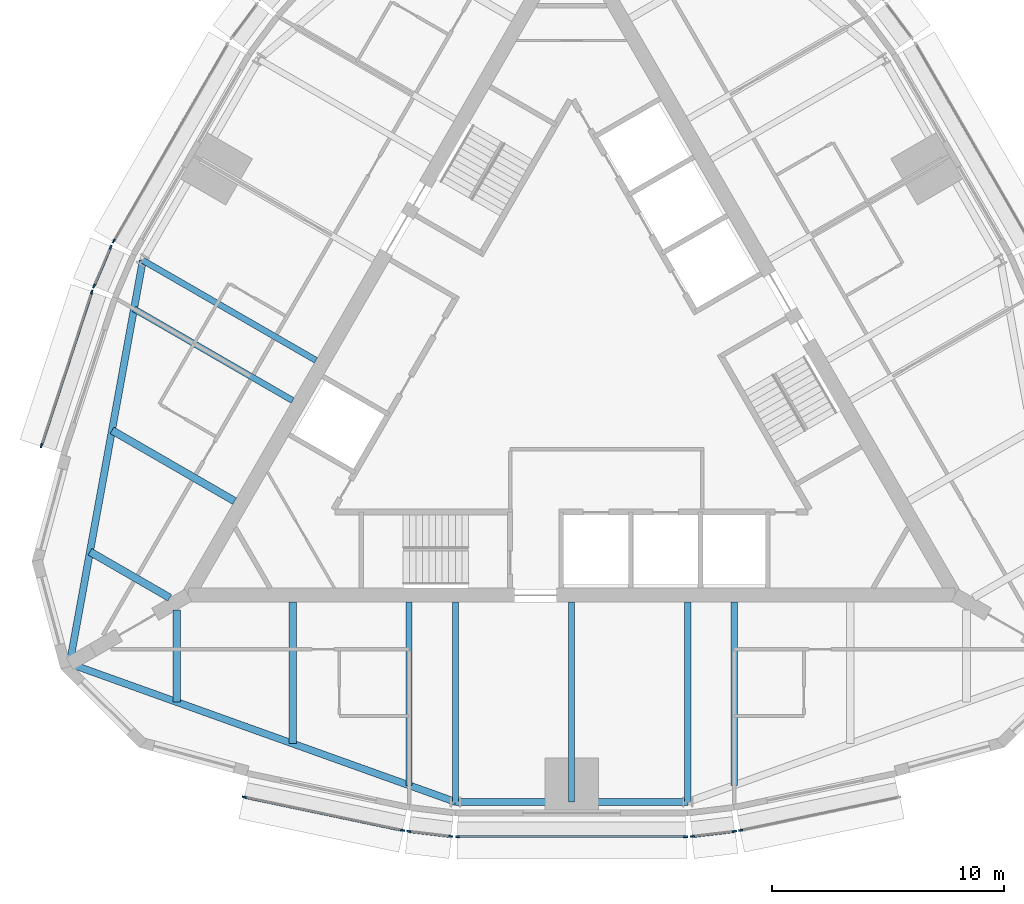
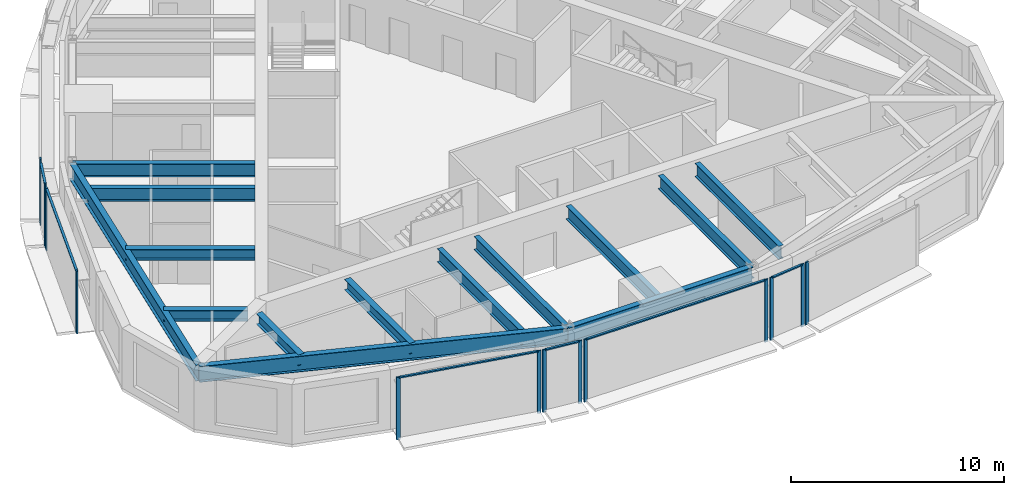
# One storey, part 2 of 12: 20 members, 14 beams, 8 elements without a shape of their own.
"""IFC4 building model written with IfcOpenShell, lengths in metres."""

from ifc_helpers import new_model, si_unit, direction, frame, origin, origin_2d, place, context, subcontext, project, spatial, rectangle, i_section, extrude, material, material_profile, profile_set, type_object, element, aggregate, save


model = new_model("IFC4")

# Units and contexts
model_context = context("Model", 3, precision=1e-05, world=origin(), true_north=direction((0.0, 1.0)))
body_context = subcontext(model_context, "Body", "Model", "MODEL_VIEW")
ifc_project = project(units=[si_unit("LENGTHUNIT", "METRE"), si_unit("AREAUNIT", "SQUARE_METRE"), si_unit("VOLUMEUNIT", "CUBIC_METRE"), si_unit("PLANEANGLEUNIT", "RADIAN"), si_unit("MASSUNIT", "GRAM", prefix="KILO")], contexts=[model_context])

# Site, building, storey
site_placement = place(None, origin())
site = spatial("IfcSite", under=ifc_project, at=site_placement, CompositionType="ELEMENT")
building_placement = place(site_placement, origin())
building = spatial("IfcBuilding", under=site, at=building_placement, Name="Trikona Tower", CompositionType="ELEMENT")
storey_placement = place(building_placement, frame((0.0, 0.0, 250.10009765625)))
storey = spatial("IfcBuildingStorey", under=building, at=storey_placement, Name="L66", CompositionType="ELEMENT", Elevation=250.10009765625)

# Curtain wall, members
ifc_material_1 = material(Name="Aluminium curtain wall system", Category="aluminium")
curtain_wall_type = type_object("IfcCurtainWallType", Name="Curtain wall DS3", PredefinedType="NOTDEFINED", material=ifc_material_1)
curtain_wall_1_placement = place(storey_placement, origin())
curtain_wall_1 = element("IfcCurtainWall", 1, at=curtain_wall_1_placement, inside=storey, type_object=curtain_wall_type, Name="Curtain wall DS3 L66", PredefinedType="NOTDEFINED")
ifc_material_2 = material(Name="Aluminium mullion, pale anodised", Category="aluminium")
ifc_material_profile_1 = material_profile(ifc_material_2, rectangle(XDim=0.070068359375, YDim=0.179931640625, at=origin_2d()), Name="MUL-DS3")
ifc_profile_set_1 = profile_set([ifc_material_profile_1], Name="Aluminium mullion, pale anodised")
member_type_1 = type_object("IfcMemberType", Name="Mullion DS3 70x180", PredefinedType="MULLION", material=ifc_profile_set_1)
member_1_placement = place(storey_placement, frame((-14.092041015625, -18.220703125, 0.0), z_axis=(0.0, 0.0, 1.0), x_axis=(0.205527448396, 0.978651351583, 0.0)))
member_1 = element("IfcMember", 2, at=member_1_placement, type_object=member_type_1, Name="CW-DS3 mullion 1", PredefinedType="MULLION", context=body_context, shape_type="SweptSolid", body=[
    extrude(rectangle(XDim=0.070068359375, YDim=0.179931640625, at=origin_2d()), origin(), (0.0, 0.0, 1.0), 3.599853515625),
])
member_2_placement = place(storey_placement, frame((-7.27783203125, -19.65185546875, 0.0), z_axis=(0.0, 0.0, 1.0), x_axis=(0.205527448396, 0.978651351583, 0.0)))
member_2 = element("IfcMember", 3, at=member_2_placement, type_object=member_type_1, Name="CW-DS3 mullion 2", PredefinedType="MULLION", context=body_context, shape_type="SweptSolid", body=[
    extrude(rectangle(XDim=0.070068359375, YDim=0.179931640625, at=origin_2d()), origin(), (0.0, 0.0, 1.0), 3.599853515625),
])

curtain_wall_2_placement = place(storey_placement, origin())
curtain_wall_2 = element("IfcCurtainWall", 4, at=curtain_wall_2_placement, inside=storey, type_object=curtain_wall_type, Name="Curtain wall DS3 L66", PredefinedType="NOTDEFINED")
member_3_placement = place(storey_placement, frame((-7.012939453125, -19.6953125, 0.0), z_axis=(0.0, 0.0, 1.0), x_axis=(0.119141057581, 0.992877338043, 0.0)))
member_3 = element("IfcMember", 5, at=member_3_placement, type_object=member_type_1, Name="CW-DS3 mullion 1", PredefinedType="MULLION", context=body_context, shape_type="SweptSolid", body=[
    extrude(rectangle(XDim=0.070068359375, YDim=0.179931640625, at=origin_2d()), origin(), (0.0, 0.0, 1.0), 3.599853515625),
])
member_4_placement = place(storey_placement, frame((-5.20166015625, -19.912841796875, 0.0), z_axis=(0.0, 0.0, 1.0), x_axis=(0.119141057581, 0.992877338043, 0.0)))
member_4 = element("IfcMember", 6, at=member_4_placement, type_object=member_type_1, Name="CW-DS3 mullion 2", PredefinedType="MULLION", context=body_context, shape_type="SweptSolid", body=[
    extrude(rectangle(XDim=0.070068359375, YDim=0.179931640625, at=origin_2d()), origin(), (0.0, 0.0, 1.0), 3.599853515625),
])

curtain_wall_3_placement = place(storey_placement, origin())
curtain_wall_3 = element("IfcCurtainWall", 7, at=curtain_wall_3_placement, inside=storey, type_object=curtain_wall_type, Name="Curtain wall DS3 L66", PredefinedType="NOTDEFINED")
member_5_placement = place(storey_placement, frame((-4.905029296875, -19.930419921875, 0.0), z_axis=(0.0, 0.0, 1.0), x_axis=(0.0, 1.0, 0.0)))
member_5 = element("IfcMember", 8, at=member_5_placement, type_object=member_type_1, Name="CW-DS3 mullion 1", PredefinedType="MULLION", context=body_context, shape_type="SweptSolid", body=[
    extrude(rectangle(XDim=0.070068359375, YDim=0.179931640625, at=origin_2d()), origin(), (0.0, 0.0, 1.0), 3.599853515625),
])
member_6_placement = place(storey_placement, frame((4.905029296875, -19.930419921875, 0.0), z_axis=(0.0, 0.0, 1.0), x_axis=(0.0, 1.0, 0.0)))
member_6 = element("IfcMember", 9, at=member_6_placement, type_object=member_type_1, Name="CW-DS3 mullion 2", PredefinedType="MULLION", context=body_context, shape_type="SweptSolid", body=[
    extrude(rectangle(XDim=0.070068359375, YDim=0.179931640625, at=origin_2d()), origin(), (0.0, 0.0, 1.0), 3.599853515625),
])

curtain_wall_4_placement = place(storey_placement, origin())
curtain_wall_4 = element("IfcCurtainWall", 10, at=curtain_wall_4_placement, inside=storey, type_object=curtain_wall_type, Name="Curtain wall DS3 L66", PredefinedType="NOTDEFINED")
member_7_placement = place(storey_placement, frame((5.20166015625, -19.912841796875, 0.0), z_axis=(0.0, 0.0, 1.0), x_axis=(-0.119141057581, 0.992877338043, 0.0)))
member_7 = element("IfcMember", 11, at=member_7_placement, type_object=member_type_1, Name="CW-DS3 mullion 1", PredefinedType="MULLION", context=body_context, shape_type="SweptSolid", body=[
    extrude(rectangle(XDim=0.070068359375, YDim=0.179931640625, at=origin_2d()), origin(), (0.0, 0.0, 1.0), 3.599853515625),
])
member_8_placement = place(storey_placement, frame((7.012939453125, -19.6953125, 0.0), z_axis=(0.0, 0.0, 1.0), x_axis=(-0.119141057581, 0.992877338043, 0.0)))
member_8 = element("IfcMember", 12, at=member_8_placement, type_object=member_type_1, Name="CW-DS3 mullion 2", PredefinedType="MULLION", context=body_context, shape_type="SweptSolid", body=[
    extrude(rectangle(XDim=0.070068359375, YDim=0.179931640625, at=origin_2d()), origin(), (0.0, 0.0, 1.0), 3.599853515625),
])

# Curtain wall, member
curtain_wall_5_placement = place(storey_placement, origin())
curtain_wall_5 = element("IfcCurtainWall", 13, at=curtain_wall_5_placement, inside=storey, type_object=curtain_wall_type, Name="Curtain wall DS3 L66", PredefinedType="NOTDEFINED")
member_9_placement = place(storey_placement, frame((7.27783203125, -19.65185546875, 0.0), z_axis=(0.0, 0.0, 1.0), x_axis=(-0.205527448396, 0.978651351583, 0.0)))
member_9 = element("IfcMember", 14, at=member_9_placement, type_object=member_type_1, Name="CW-DS3 mullion 1", PredefinedType="MULLION", context=body_context, shape_type="SweptSolid", body=[
    extrude(rectangle(XDim=0.070068359375, YDim=0.179931640625, at=origin_2d()), origin(), (0.0, 0.0, 1.0), 3.599853515625),
])
aggregate(curtain_wall_5, [member_9])

curtain_wall_6_placement = place(storey_placement, origin())
curtain_wall_6 = element("IfcCurtainWall", 15, at=curtain_wall_6_placement, inside=storey, type_object=curtain_wall_type, Name="Curtain wall DS3 L66", PredefinedType="NOTDEFINED")
member_10_placement = place(storey_placement, frame((-19.712890625, 5.717529296875, 0.0), z_axis=(0.0, 0.0, 1.0), x_axis=(0.866024619633, -0.500001358187, 0.0)))
member_10 = element("IfcMember", 16, at=member_10_placement, type_object=member_type_1, Name="CW-DS3 mullion 2", PredefinedType="MULLION", context=body_context, shape_type="SweptSolid", body=[
    extrude(rectangle(XDim=0.070068359375, YDim=0.179931640625, at=origin_2d()), origin(), (0.0, 0.0, 1.0), 3.599853515625),
])
aggregate(curtain_wall_6, [member_10])

# Curtain wall, members
curtain_wall_7_placement = place(storey_placement, origin())
curtain_wall_7 = element("IfcCurtainWall", 17, at=curtain_wall_7_placement, inside=storey, type_object=curtain_wall_type, Name="Curtain wall DS3 L66", PredefinedType="NOTDEFINED")
member_11_placement = place(storey_placement, frame((-19.845703125, 5.45166015625, 0.0), z_axis=(0.0, 0.0, 1.0), x_axis=(0.919420580163, -0.393275726143, 0.0)))
member_11 = element("IfcMember", 18, at=member_11_placement, type_object=member_type_1, Name="CW-DS3 mullion 1", PredefinedType="MULLION", context=body_context, shape_type="SweptSolid", body=[
    extrude(rectangle(XDim=0.070068359375, YDim=0.179931640625, at=origin_2d()), origin(), (0.0, 0.0, 1.0), 3.599853515625),
])
member_12_placement = place(storey_placement, frame((-20.563232421875, 3.7744140625, 0.0), z_axis=(0.0, 0.0, 1.0), x_axis=(0.919420580163, -0.393275726143, 0.0)))
member_12 = element("IfcMember", 19, at=member_12_placement, type_object=member_type_1, Name="CW-DS3 mullion 2", PredefinedType="MULLION", context=body_context, shape_type="SweptSolid", body=[
    extrude(rectangle(XDim=0.070068359375, YDim=0.179931640625, at=origin_2d()), origin(), (0.0, 0.0, 1.0), 3.599853515625),
])

curtain_wall_8_placement = place(storey_placement, origin())
curtain_wall_8 = element("IfcCurtainWall", 20, at=curtain_wall_8_placement, inside=storey, type_object=curtain_wall_type, Name="Curtain wall DS3 L66", PredefinedType="NOTDEFINED")
member_13_placement = place(storey_placement, frame((-20.657958984375, 3.52294921875, 0.0), z_axis=(0.0, 0.0, 1.0), x_axis=(0.95029742275, -0.311343553515, 0.0)))
member_13 = element("IfcMember", 21, at=member_13_placement, type_object=member_type_1, Name="CW-DS3 mullion 1", PredefinedType="MULLION", context=body_context, shape_type="SweptSolid", body=[
    extrude(rectangle(XDim=0.070068359375, YDim=0.179931640625, at=origin_2d()), origin(), (0.0, 0.0, 1.0), 3.599853515625),
])
member_14_placement = place(storey_placement, frame((-22.82568359375, -3.09375, 0.0), z_axis=(0.0, 0.0, 1.0), x_axis=(0.95029742275, -0.311343553515, 0.0)))
member_14 = element("IfcMember", 22, at=member_14_placement, type_object=member_type_1, Name="CW-DS3 mullion 2", PredefinedType="MULLION", context=body_context, shape_type="SweptSolid", body=[
    extrude(rectangle(XDim=0.070068359375, YDim=0.179931640625, at=origin_2d()), origin(), (0.0, 0.0, 1.0), 3.599853515625),
])

# Beams
ifc_material_3 = material(Name="Steel ASTM A992 Grade 50", Category="steel")
ifc_material_profile_2 = material_profile(ifc_material_3, i_section(OverallWidth=0.3251953125, OverallDepth=0.612060546875, WebThickness=0.0126953125, FlangeThickness=0.01904296875, at=origin_2d()), Name="W24X104")
ifc_profile_set_2 = profile_set([ifc_material_profile_2], Name="Steel ASTM A992 Grade 50")
beam_type_1 = type_object("IfcBeamType", Name="Steel beam W24x104 (wedge upper)", PredefinedType="BEAM", material=ifc_profile_set_2)
beam_1_placement = place(storey_placement, frame((-17.0, -10.161376953125, 3.12890625), z_axis=(0.0, -1.0, 0.0), x_axis=(1.0, 0.0, 0.0)))
element("IfcBeam", 23, at=beam_1_placement, inside=storey, type_object=beam_type_1, Name="Floor beam L67 F1 u-17", PredefinedType="BEAM", context=body_context, shape_type="SweptSolid", body=[
    extrude(i_section(OverallWidth=0.3251953125, OverallDepth=0.612060546875, WebThickness=0.0126953125, FlangeThickness=0.01904296875, at=origin_2d()), origin(), (0.0, 0.0, 1.0), 3.9677734375),
])
beam_2_placement = place(storey_placement, frame((-12.0, -9.826416015625, 3.12890625), z_axis=(0.0, -1.0, 0.0), x_axis=(1.0, 0.0, 0.0)))
element("IfcBeam", 24, at=beam_2_placement, inside=storey, type_object=beam_type_1, Name="Floor beam L67 F1 u-12", PredefinedType="BEAM", context=body_context, shape_type="SweptSolid", body=[
    extrude(i_section(OverallWidth=0.3251953125, OverallDepth=0.612060546875, WebThickness=0.0126953125, FlangeThickness=0.01904296875, at=origin_2d()), origin(), (0.0, 0.0, 1.0), 6.094970703125),
])
beam_3_placement = place(storey_placement, frame((-14.509765625, -5.479248046875, 3.12890625), z_axis=(-0.866023498866, 0.500003299401, 0.0), x_axis=(-0.500003299401, -0.866023498866, 0.0)))
element("IfcBeam", 25, at=beam_3_placement, inside=storey, type_object=beam_type_1, Name="Floor beam L67 F3 u12", PredefinedType="BEAM", context=body_context, shape_type="SweptSolid", body=[
    extrude(i_section(OverallWidth=0.3251953125, OverallDepth=0.612060546875, WebThickness=0.0126953125, FlangeThickness=0.01904296875, at=origin_2d()), origin(), (0.0, 0.0, 1.0), 6.09521484375),
])
beam_4_placement = place(storey_placement, frame((-17.300048828125, -9.6416015625, 3.12890625), z_axis=(-0.866030866614, 0.499990537983, 0.0), x_axis=(-0.499990537983, -0.866030866614, 0.0)))
element("IfcBeam", 26, at=beam_4_placement, inside=storey, type_object=beam_type_1, Name="Floor beam L67 F3 u17", PredefinedType="BEAM", context=body_context, shape_type="SweptSolid", body=[
    extrude(i_section(OverallWidth=0.3251953125, OverallDepth=0.612060546875, WebThickness=0.0126953125, FlangeThickness=0.01904296875, at=origin_2d()), origin(), (0.0, 0.0, 1.0), 3.9677734375),
])
ifc_material_4 = material(Name="Steel ASTM A992 Grade 50", Category="steel")
ifc_material_profile_3 = material_profile(ifc_material_4, i_section(OverallWidth=0.2666015625, OverallDepth=0.7568359375, WebThickness=0.013916015625, FlangeThickness=0.019287109375, at=origin_2d()), Name="W30X108")
ifc_profile_set_3 = profile_set([ifc_material_profile_3], Name="Steel ASTM A992 Grade 50")
beam_type_2 = type_object("IfcBeamType", Name="Steel beam W30x108 (radial upper)", PredefinedType="BEAM", material=ifc_profile_set_3)
beam_5_placement = place(storey_placement, frame((-7.0, -9.826416015625, 3.056396484375), z_axis=(0.0, -1.0, 0.0), x_axis=(1.0, 0.0, 0.0)))
element("IfcBeam", 27, at=beam_5_placement, inside=storey, type_object=beam_type_2, Name="Floor beam L67 F1 u-7", PredefinedType="BEAM", context=body_context, shape_type="SweptSolid", body=[
    extrude(i_section(OverallWidth=0.2666015625, OverallDepth=0.7568359375, WebThickness=0.013916015625, FlangeThickness=0.019287109375, at=origin_2d()), origin(), (0.0, 0.0, 1.0), 7.88720703125),
])
for number, where, z_axis, x_axis, name in (
    (28, (-5.0, -9.826416015625, 3.056396484375), (0.0, -1.0, 0.0), (1.0, 0.0, 0.0), "Floor beam L67 F1 u-5"),
    (29, (0.0, -9.826416015625, 3.056396484375), (0.0, -1.0, 0.0), (1.0, 0.0, 0.0), "Floor beam L67 F1 u0"),
    (30, (5.0, -9.826416015625, 3.056396484375), (0.0, -1.0, 0.0), (1.0, 0.0, 0.0), "Floor beam L67 F1 u5"),
):
    element("IfcBeam", number, at=place(storey_placement, frame(where, z_axis=z_axis, x_axis=x_axis)), inside=storey, type_object=beam_type_2, Name=name, PredefinedType="BEAM", context=body_context, shape_type="SweptSolid", body=[
        extrude(i_section(OverallWidth=0.2666015625, OverallDepth=0.7568359375, WebThickness=0.013916015625, FlangeThickness=0.019287109375, at=origin_2d()), origin(), (0.0, 0.0, 1.0), 8.60400390625),
    ])
beam_6_placement = place(storey_placement, frame((7.0, -9.826416015625, 3.056396484375), z_axis=(0.0, -1.0, 0.0), x_axis=(1.0, 0.0, 0.0)))
element("IfcBeam", 31, at=beam_6_placement, inside=storey, type_object=beam_type_2, Name="Floor beam L67 F1 u7", PredefinedType="BEAM", context=body_context, shape_type="SweptSolid", body=[
    extrude(i_section(OverallWidth=0.2666015625, OverallDepth=0.7568359375, WebThickness=0.013916015625, FlangeThickness=0.019287109375, at=origin_2d()), origin(), (0.0, 0.0, 1.0), 7.88720703125),
])
beam_7_placement = place(storey_placement, frame((-11.009765625, 0.5830078125, 3.056396484375), z_axis=(-0.866029182723, 0.49999345463, 0.0), x_axis=(-0.49999345463, -0.866029182723, 0.0)))
element("IfcBeam", 32, at=beam_7_placement, inside=storey, type_object=beam_type_2, Name="Floor beam L67 F3 u5", PredefinedType="BEAM", context=body_context, shape_type="SweptSolid", body=[
    extrude(i_section(OverallWidth=0.2666015625, OverallDepth=0.7568359375, WebThickness=0.013916015625, FlangeThickness=0.019287109375, at=origin_2d()), origin(), (0.0, 0.0, 1.0), 8.60400390625),
])
beam_8_placement = place(storey_placement, frame((-12.009765625, -1.14892578125, 3.056396484375), z_axis=(-0.866034560358, 0.499984140014, 0.0), x_axis=(-0.499984140014, -0.866034560358, 0.0)))
element("IfcBeam", 33, at=beam_8_placement, inside=storey, type_object=beam_type_2, Name="Floor beam L67 F3 u7", PredefinedType="BEAM", context=body_context, shape_type="SweptSolid", body=[
    extrude(i_section(OverallWidth=0.2666015625, OverallDepth=0.7568359375, WebThickness=0.013916015625, FlangeThickness=0.019287109375, at=origin_2d()), origin(), (0.0, 0.0, 1.0), 7.887451171875),
])
ifc_material_5 = material(Name="Steel ASTM A992 Grade 50", Category="steel")
ifc_material_profile_4 = material_profile(ifc_material_5, i_section(OverallWidth=0.3046875, OverallDepth=0.911865234375, WebThickness=0.015869140625, FlangeThickness=0.02392578125, at=origin_2d()), Name="W36X150")
ifc_profile_set_4 = profile_set([ifc_material_profile_4], Name="Steel ASTM A992 Grade 50")
beam_type_3 = type_object("IfcBeamType", Name="Steel beam W36x150 (spandrel upper)", PredefinedType="SPANDREL", material=ifc_profile_set_4)
beam_9_placement = place(storey_placement, frame((-21.6103515625, -12.476806640625, 2.97900390625), z_axis=(0.941358144832, -0.337409014637, 0.0), x_axis=(0.337409014637, 0.941358144832, 0.0)))
element("IfcBeam", 34, at=beam_9_placement, inside=storey, type_object=beam_type_3, Name="Spandrel beam L67 F1-1", PredefinedType="SPANDREL", context=body_context, shape_type="SweptSolid", body=[
    extrude(i_section(OverallWidth=0.3046875, OverallDepth=0.911865234375, WebThickness=0.015869140625, FlangeThickness=0.02392578125, at=origin_2d()), origin(), (0.0, 0.0, 1.0), 17.64501953125),
])
beam_10_placement = place(storey_placement, frame((-5.0, -18.430419921875, 2.97900390625), z_axis=(1.0, 0.0, 0.0), x_axis=(0.0, 1.0, 0.0)))
element("IfcBeam", 35, at=beam_10_placement, inside=storey, type_object=beam_type_3, Name="Spandrel beam L67 F1-2", PredefinedType="SPANDREL", context=body_context, shape_type="SweptSolid", body=[
    extrude(i_section(OverallWidth=0.3046875, OverallDepth=0.911865234375, WebThickness=0.015869140625, FlangeThickness=0.02392578125, at=origin_2d()), origin(), (0.0, 0.0, 1.0), 10.0),
])
beam_11_placement = place(storey_placement, frame((-18.461181640625, 4.885009765625, 2.97900390625), z_axis=(-0.178472662054, -0.983944870864, 0.0), x_axis=(0.983944870864, -0.178472662054, 0.0)))
element("IfcBeam", 36, at=beam_11_placement, inside=storey, type_object=beam_type_3, Name="Spandrel beam L67 F3-3", PredefinedType="SPANDREL", context=body_context, shape_type="SweptSolid", body=[
    extrude(i_section(OverallWidth=0.3046875, OverallDepth=0.911865234375, WebThickness=0.015869140625, FlangeThickness=0.02392578125, at=origin_2d()), origin(), (0.0, 0.0, 1.0), 17.64501953125),
])

# Member
ifc_material_6 = material(Name="Aluminium transom, pale anodised", Category="aluminium")
ifc_material_profile_5 = material_profile(ifc_material_6, rectangle(XDim=0.1201171875, YDim=0.070068359375, at=origin_2d()), Name="TRN-DS3")
ifc_profile_set_5 = profile_set([ifc_material_profile_5], Name="Aluminium transom, pale anodised")
member_type_2 = type_object("IfcMemberType", Name="Transom DS3 70x120", PredefinedType="USERDEFINED", material=ifc_profile_set_5)
member_15_placement = place(storey_placement, frame((-14.0576171875, -18.22802734375, 3.56494140625), z_axis=(0.978654137783, -0.205514181021, 0.0), x_axis=(0.205514181021, 0.978654137783, 0.0)))
member_15 = element("IfcMember", 37, at=member_15_placement, type_object=member_type_2, Name="CW-DS3 transom 1.1", ObjectType="TRANSOM", PredefinedType="USERDEFINED", context=body_context, shape_type="SweptSolid", body=[
    extrude(rectangle(XDim=0.1201171875, YDim=0.070068359375, at=origin_2d()), origin(), (0.0, 0.0, 1.0), 6.892578125),
])

aggregate(curtain_wall_1, [member_1, member_2, member_15])

member_16_placement = place(storey_placement, frame((-6.978271484375, -19.699462890625, 3.56494140625), z_axis=(0.992880130449, -0.119117784396, 0.0), x_axis=(0.119117784396, 0.992880130449, 0.0)))
member_16 = element("IfcMember", 38, at=member_16_placement, type_object=member_type_2, Name="CW-DS3 transom 1.1", ObjectType="TRANSOM", PredefinedType="USERDEFINED", context=body_context, shape_type="SweptSolid", body=[
    extrude(rectangle(XDim=0.1201171875, YDim=0.070068359375, at=origin_2d()), origin(), (0.0, 0.0, 1.0), 1.75439453125),
])

aggregate(curtain_wall_2, [member_3, member_4, member_16])

member_17_placement = place(storey_placement, frame((-4.8701171875, -19.930419921875, 3.56494140625), z_axis=(1.0, 0.0, 0.0), x_axis=(0.0, 1.0, 0.0)))
member_17 = element("IfcMember", 39, at=member_17_placement, type_object=member_type_2, Name="CW-DS3 transom 1.1", ObjectType="TRANSOM", PredefinedType="USERDEFINED", context=body_context, shape_type="SweptSolid", body=[
    extrude(rectangle(XDim=0.1201171875, YDim=0.070068359375, at=origin_2d()), origin(), (0.0, 0.0, 1.0), 9.740234375),
])

aggregate(curtain_wall_3, [member_5, member_6, member_17])

member_18_placement = place(storey_placement, frame((5.236328125, -19.908447265625, 3.56494140625), z_axis=(0.992880130449, 0.119117784396, 0.0), x_axis=(-0.119117784396, 0.992880130449, 0.0)))
member_18 = element("IfcMember", 40, at=member_18_placement, type_object=member_type_2, Name="CW-DS3 transom 1.1", ObjectType="TRANSOM", PredefinedType="USERDEFINED", context=body_context, shape_type="SweptSolid", body=[
    extrude(rectangle(XDim=0.1201171875, YDim=0.070068359375, at=origin_2d()), origin(), (0.0, 0.0, 1.0), 1.75439453125),
])

aggregate(curtain_wall_4, [member_7, member_8, member_18])

member_19_placement = place(storey_placement, frame((-19.859619140625, 5.41943359375, 3.56494140625), z_axis=(-0.393314512783, -0.919403988481, 0.0), x_axis=(0.919403988481, -0.393314512783, 0.0)))
member_19 = element("IfcMember", 41, at=member_19_placement, type_object=member_type_2, Name="CW-DS3 transom 1.1", ObjectType="TRANSOM", PredefinedType="USERDEFINED", context=body_context, shape_type="SweptSolid", body=[
    extrude(rectangle(XDim=0.1201171875, YDim=0.070068359375, at=origin_2d()), origin(), (0.0, 0.0, 1.0), 1.754150390625),
])

aggregate(curtain_wall_7, [member_11, member_12, member_19])

member_20_placement = place(storey_placement, frame((-20.668701171875, 3.48974609375, 3.56494140625), z_axis=(-0.311346184, -0.950296560926, 0.0), x_axis=(0.950296560926, -0.311346184, 0.0)))
member_20 = element("IfcMember", 42, at=member_20_placement, type_object=member_type_2, Name="CW-DS3 transom 1.1", ObjectType="TRANSOM", PredefinedType="USERDEFINED", context=body_context, shape_type="SweptSolid", body=[
    extrude(rectangle(XDim=0.1201171875, YDim=0.070068359375, at=origin_2d()), origin(), (0.0, 0.0, 1.0), 6.892578125),
])

aggregate(curtain_wall_8, [member_13, member_14, member_20])

save(model, "model.ifc")
